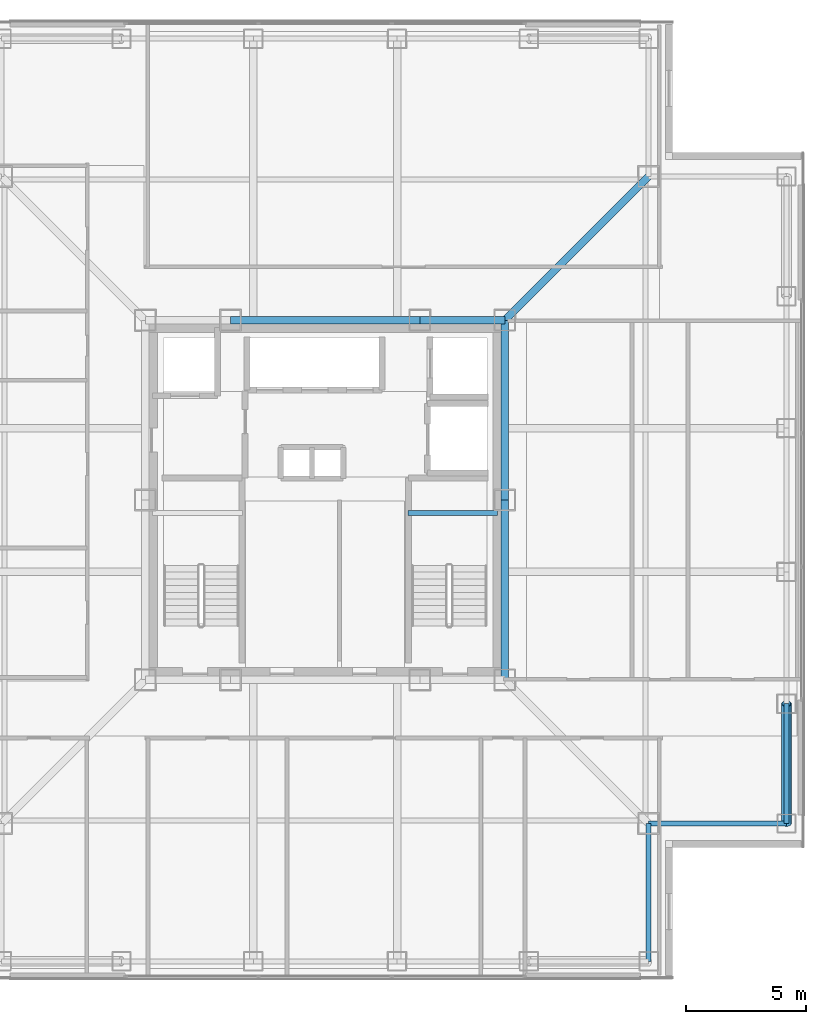
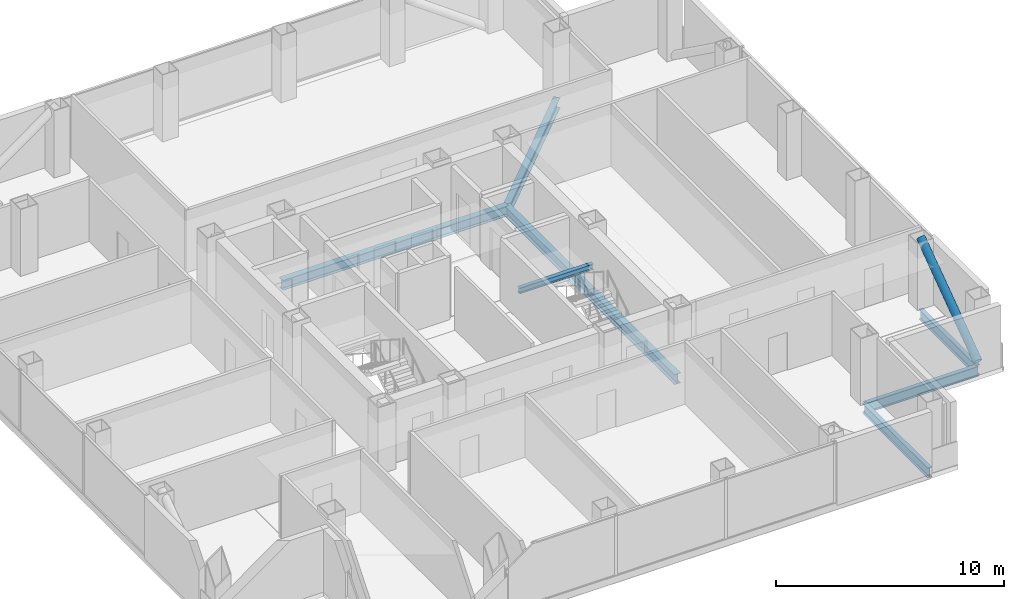
# One storey, part 5 of 17: 9 beams, 1 member.
"""IFC4 building model written with IfcOpenShell, lengths in metres."""

from ifc_helpers import new_model, si_unit, direction, frame, origin, origin_2d, place, context, subcontext, project, spatial, hollow_circle, i_section, extrude, material, material_profile, profile_set, type_object, element, save


model = new_model("IFC4")

# Units and contexts
model_context = context("Model", 3, precision=1e-05, world=origin(), true_north=direction((0.0, 1.0)))
body_context = subcontext(model_context, "Body", "Model", "MODEL_VIEW")
ifc_project = project(units=[si_unit("LENGTHUNIT", "METRE"), si_unit("AREAUNIT", "SQUARE_METRE"), si_unit("VOLUMEUNIT", "CUBIC_METRE"), si_unit("PLANEANGLEUNIT", "RADIAN"), si_unit("MASSUNIT", "GRAM", prefix="KILO")], contexts=[model_context])

# Site, building, storey
site_placement = place(None, origin())
site = spatial("IfcSite", under=ifc_project, at=site_placement, CompositionType="ELEMENT")
building_placement = place(site_placement, origin())
building = spatial("IfcBuilding", under=site, at=building_placement, Name="Trevonay Congress Spire", CompositionType="ELEMENT")
storey_placement = place(building_placement, frame((0.0, 0.0, 213.0)))
storey = spatial("IfcBuildingStorey", under=building, at=storey_placement, Name="L55", CompositionType="ELEMENT", Elevation=213.0)

# Beams
ifc_material_1 = material(Name="Steel ASTM A572 Grade 50", Category="steel")
ifc_material_profile_1 = material_profile(ifc_material_1, i_section(OverallWidth=0.31201171875, OverallDepth=0.54296875, WebThickness=0.0126953125, FlangeThickness=0.020263671875, FilletRadius=0.014892578125, at=origin_2d()), Name="W530x150")
ifc_profile_set_1 = profile_set([ifc_material_profile_1], Name="Steel ASTM A572 Grade 50")
beam_type_1 = type_object("IfcBeamType", Name="BM-GIRD-W530X150", PredefinedType="BEAM", material=ifc_profile_set_1)
beam_1_placement = place(storey_placement, frame((-3.949951171875, 7.5, -0.511474609375), z_axis=(1.0, 0.0, 0.0), x_axis=(0.0, 1.0, 0.0)))
element("IfcBeam", 1, at=beam_1_placement, inside=storey, type_object=beam_type_1, Name="L55 structural beam BM-L55-CR-N2", PredefinedType="BEAM", context=body_context, shape_type="SweptSolid", body=[
    extrude(i_section(OverallWidth=0.31201171875, OverallDepth=0.54296875, WebThickness=0.0126953125, FlangeThickness=0.020263671875, FilletRadius=0.014892578125, at=origin_2d()), origin(), (0.0, 0.0, 1.0), 7.89990234375),
])
beam_2_placement = place(storey_placement, frame((3.949951171875, 7.5, -0.511474609375), z_axis=(1.0, 0.0, 0.0), x_axis=(0.0, 1.0, 0.0)))
element("IfcBeam", 2, at=beam_2_placement, inside=storey, type_object=beam_type_1, Name="L55 structural beam BM-L55-CR-N3", PredefinedType="BEAM", context=body_context, shape_type="SweptSolid", body=[
    extrude(i_section(OverallWidth=0.31201171875, OverallDepth=0.54296875, WebThickness=0.0126953125, FlangeThickness=0.020263671875, FilletRadius=0.014892578125, at=origin_2d()), origin(), (0.0, 0.0, 1.0), 3.550048828125),
])
for number, where, z_axis, x_axis, name in (
    (3, (7.5, -7.5, -0.511474609375), (0.0, 1.0, 0.0), (-1.0, 0.0, 0.0), "L55 structural beam BM-L55-CR-E1"),
    (4, (7.5, 0.0, -0.511474609375), (0.0, 1.0, 0.0), (-1.0, 0.0, 0.0), "L55 structural beam BM-L55-CR-E2"),
):
    element("IfcBeam", number, at=place(storey_placement, frame(where, z_axis=z_axis, x_axis=x_axis)), inside=storey, type_object=beam_type_1, Name=name, PredefinedType="BEAM", context=body_context, shape_type="SweptSolid", body=[
        extrude(i_section(OverallWidth=0.31201171875, OverallDepth=0.54296875, WebThickness=0.0126953125, FlangeThickness=0.020263671875, FilletRadius=0.014892578125, at=origin_2d()), origin(), (0.0, 0.0, 1.0), 7.5),
    ])
beam_3_placement = place(storey_placement, frame((7.5, 7.5, -0.511474609375), z_axis=(0.707106781187, 0.707106781187, 0.0), x_axis=(-0.707106781187, 0.707106781187, 0.0)))
element("IfcBeam", 5, at=beam_3_placement, inside=storey, type_object=beam_type_1, Name="L55 structural beam BM-L55-CDNE", PredefinedType="BEAM", context=body_context, shape_type="SweptSolid", body=[
    extrude(i_section(OverallWidth=0.31201171875, OverallDepth=0.54296875, WebThickness=0.0126953125, FlangeThickness=0.020263671875, FilletRadius=0.014892578125, at=origin_2d()), origin(), (0.0, 0.0, 1.0), 8.4853515625),
])
ifc_material_profile_2 = material_profile(ifc_material_1, i_section(OverallWidth=0.2119140625, OverallDepth=0.5439453125, WebThickness=0.01318359375, FlangeThickness=0.021240234375, FilletRadius=0.014892578125, at=origin_2d()), Name="W530x123")
ifc_profile_set_2 = profile_set([ifc_material_profile_2], Name="Steel ASTM A572 Grade 50")
beam_type_2 = type_object("IfcBeamType", Name="BM-RING-W530X123", PredefinedType="BEAM", material=ifc_profile_set_2)
beam_4_placement = place(storey_placement, frame((19.25, -13.5, -0.511962890625), z_axis=(0.0, 1.0, 0.0), x_axis=(-1.0, 0.0, 0.0)))
element("IfcBeam", 6, at=beam_4_placement, inside=storey, type_object=beam_type_2, Name="L55 structural beam BM-L55-PE1", PredefinedType="BEAM", context=body_context, shape_type="SweptSolid", body=[
    extrude(i_section(OverallWidth=0.2119140625, OverallDepth=0.5439453125, WebThickness=0.01318359375, FlangeThickness=0.021240234375, FilletRadius=0.014892578125, at=origin_2d()), origin(), (0.0, 0.0, 1.0), 5.0),
])
for number, where, z_axis, x_axis, name in (
    (7, (13.5, -19.25, -0.511962890625), (0.0, 1.0, 0.0), (-1.0, 0.0, 0.0), "L55 structural beam BM-L55-N1SE"),
    (8, (19.25, -13.5, -0.511962890625), (-1.0, 0.0, 0.0), (0.0, -1.0, 0.0), "L55 structural beam BM-L55-N2SE"),
):
    element("IfcBeam", number, at=place(storey_placement, frame(where, z_axis=z_axis, x_axis=x_axis)), inside=storey, type_object=beam_type_2, Name=name, PredefinedType="BEAM", context=body_context, shape_type="SweptSolid", body=[
        extrude(i_section(OverallWidth=0.2119140625, OverallDepth=0.5439453125, WebThickness=0.01318359375, FlangeThickness=0.021240234375, FilletRadius=0.014892578125, at=origin_2d()), origin(), (0.0, 0.0, 1.0), 5.75),
    ])
ifc_material_profile_3 = material_profile(ifc_material_1, i_section(OverallWidth=0.2041015625, OverallDepth=0.305908203125, WebThickness=0.008544921875, FlangeThickness=0.0146484375, FilletRadius=0.010986328125, at=origin_2d()), Name="W310x67")
ifc_profile_set_3 = profile_set([ifc_material_profile_3], Name="Steel ASTM A572 Grade 50")
beam_type_3 = type_object("IfcBeamType", Name="LN-CORE-W310X67", PredefinedType="LINTEL", material=ifc_profile_set_3)
beam_5_placement = place(storey_placement, frame((3.449951171875, -0.550048828125, 1.447021484375), z_axis=(1.0, 0.0, 0.0), x_axis=(0.0, 1.0, 0.0)))
element("IfcBeam", 9, at=beam_5_placement, inside=storey, type_object=beam_type_3, Name="L55 structural beam BM-L55-HL-ST2", PredefinedType="LINTEL", context=body_context, shape_type="SweptSolid", body=[
    extrude(i_section(OverallWidth=0.2041015625, OverallDepth=0.305908203125, WebThickness=0.008544921875, FlangeThickness=0.0146484375, FilletRadius=0.010986328125, at=origin_2d()), origin(), (0.0, 0.0, 1.0), 3.75),
])

# Member
ifc_material_2 = material(Name="Steel ASTM A500 Grade C", Category="steel")
ifc_material_profile_4 = material_profile(ifc_material_2, hollow_circle(Radius=0.203125, WallThickness=0.02001953125, at=origin_2d()), Name="CHS 406.4x20")
ifc_profile_set_4 = profile_set([ifc_material_profile_4], Name="Steel ASTM A500 Grade C")
member_type = type_object("IfcMemberType", Name="MBR-TUBE-CHS406", PredefinedType="BRACE", material=ifc_profile_set_4)
member_placement = place(storey_placement, frame((19.25, -13.5, -0.050048828125), z_axis=(0.0, 0.811526825515, 0.584315164504), x_axis=(-1.0, 0.0, 0.0)))
element("IfcMember", 10, at=member_placement, inside=storey, type_object=member_type, Name="L55 perimeter braced-tube diagonal E0", PredefinedType="BRACE", context=body_context, shape_type="SweptSolid", body=[
    extrude(hollow_circle(Radius=0.203125, WallThickness=0.02001953125, at=origin_2d()), origin(), (0.0, 0.0, 1.0), 6.1611328125),
])

save(model, "model.ifc")
